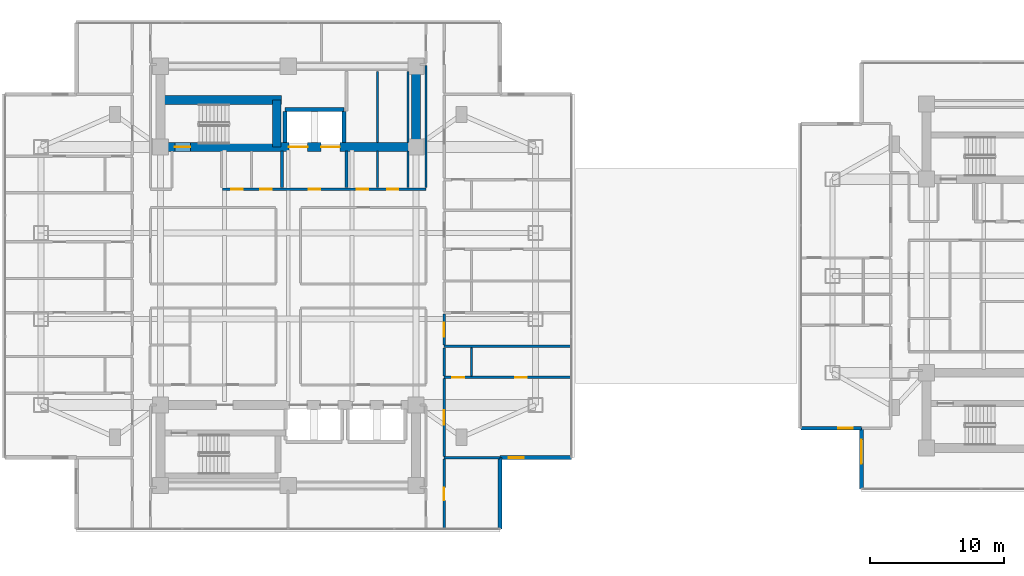
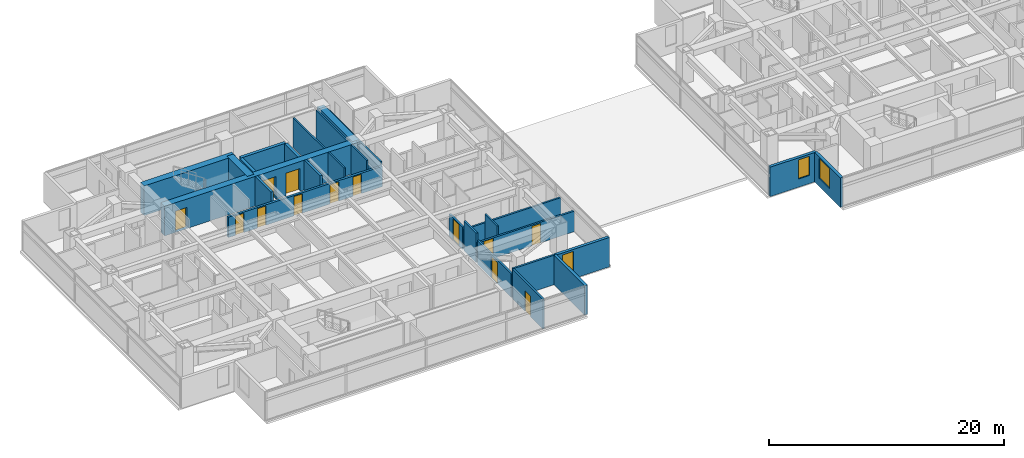
# One storey, part 15 of 26: 27 walls, 13 doors, 3 windows, 16 openings.
"""IFC4 building model written with IfcOpenShell, lengths in metres."""

from ifc_helpers import new_model, si_unit, direction, frame, frame_2d, origin, place, context, subcontext, project, spatial, rectangle, extrude, material, layer, layer_set, type_object, element, fill, save


model = new_model("IFC4")

# Units and contexts
model_context = context("Model", 3, precision=1e-05, world=origin(), true_north=direction((0.0, 1.0)))
body_context = subcontext(model_context, "Body", "Model", "MODEL_VIEW")
ifc_project = project(units=[si_unit("LENGTHUNIT", "METRE"), si_unit("AREAUNIT", "SQUARE_METRE"), si_unit("VOLUMEUNIT", "CUBIC_METRE"), si_unit("PLANEANGLEUNIT", "RADIAN"), si_unit("MASSUNIT", "GRAM", prefix="KILO")], contexts=[model_context])

# Site, building, storey
site_placement = place(None, origin())
site = spatial("IfcSite", under=ifc_project, at=site_placement, CompositionType="ELEMENT")
building_placement = place(site_placement, origin())
building = spatial("IfcBuilding", under=site, at=building_placement, Name="Mirazonda Arch Towers", CompositionType="ELEMENT")
storey_placement = place(building_placement, frame((0.0, 0.0, 98.300048828125)))
storey = spatial("IfcBuildingStorey", under=building, at=storey_placement, Name="L27", CompositionType="ELEMENT", Elevation=98.300048828125)

# Wall
ifc_material_1 = material(Name="Concrete C60/75", Category="concrete")
ifc_layer_1 = layer(ifc_material_1, 0.64990234375, Name="WALL-CORE-650")
ifc_layer_set_1 = layer_set([ifc_layer_1], Name="Concrete C60/75")
wall_type_1 = type_object("IfcWallType", Name="WALL-CORE-650", PredefinedType="SHEAR", material=ifc_layer_set_1)
wall_1_placement = place(storey_placement, frame((30.0, 37.60009765625, 0.0), z_axis=(0.0, 0.0, 1.0), x_axis=(0.0, 1.0, 0.0)))
element("IfcWall", 1, at=wall_1_placement, inside=storey, type_object=wall_type_1, Name="L27 T1N-E Core Shear Wall", PredefinedType="SHEAR", context=body_context, shape_type="SweptSolid", body=[
    extrude(rectangle(XDim=6.0, YDim=0.64990234375, at=frame_2d((3.0, 0.0))), origin(), (0.0, 0.0, 1.0), 3.079833984375),
])

# Wall, openings, doors
wall_2_placement = place(storey_placement, frame((11.0, 37.60009765625, 0.0), z_axis=(0.0, 0.0, 1.0), x_axis=(1.0, 0.0, 0.0)))
wall_2 = element("IfcWall", 2, at=wall_2_placement, inside=storey, type_object=wall_type_1, Name="L27 T1N-S Core Shear Wall", PredefinedType="SHEAR", context=body_context, shape_type="SweptSolid", body=[
    extrude(rectangle(XDim=19.0, YDim=0.64990234375, at=frame_2d((9.5, 0.0))), origin(), (0.0, 0.0, 1.0), 3.079833984375),
])
opening_1_placement = place(wall_2_placement, frame((1.06005859375, 0.0, 0.0)))
opening_1 = element("IfcOpeningElement", 3, at=opening_1_placement, cuts=wall_2, Name="Opening DR-135", PredefinedType="OPENING", context=body_context, shape_type="SweptSolid", body=[
    extrude(rectangle(XDim=1.14990234375, YDim=2.199951171875, at=frame_2d((0.574951171875, 1.10009765625))), frame((0.0, 0.3349609375, 0.0), z_axis=(0.0, -1.0, 0.0), x_axis=(1.0, 0.0, 0.0)), (0.0, 0.0, 1.0), 0.669921875),
])
opening_2_placement = place(wall_2_placement, frame((9.550048828125, 0.0, 0.0)))
opening_2 = element("IfcOpeningElement", 4, at=opening_2_placement, cuts=wall_2, Name="Opening LD-112", PredefinedType="OPENING", context=body_context, shape_type="SweptSolid", body=[
    extrude(rectangle(XDim=1.39990234375, YDim=2.35009765625, at=frame_2d((0.699951171875, 1.175048828125))), frame((0.0, 0.3349609375, 0.0), z_axis=(0.0, -1.0, 0.0), x_axis=(1.0, 0.0, 0.0)), (0.0, 0.0, 1.0), 0.669921875),
])
opening_3_placement = place(wall_2_placement, frame((11.949951171875, 0.0, 0.0)))
opening_3 = element("IfcOpeningElement", 5, at=opening_3_placement, cuts=wall_2, Name="Opening LD-112", PredefinedType="OPENING", context=body_context, shape_type="SweptSolid", body=[
    extrude(rectangle(XDim=1.39990234375, YDim=2.35009765625, at=frame_2d((0.699951171875, 1.175048828125))), frame((0.0, 0.3349609375, 0.0), z_axis=(0.0, -1.0, 0.0), x_axis=(1.0, 0.0, 0.0)), (0.0, 0.0, 1.0), 0.669921875),
])
ifc_material_2 = material(Name="Architectural Brushed Steel S355", Category="steel")
door_type_1 = type_object("IfcDoorType", Name="DOOR-LIFT-FFL-1400", OperationType="NOTDEFINED", PredefinedType="DOOR", material=ifc_material_2)
door_1_placement = place(opening_2_placement, origin())
door_1 = element("IfcDoor", 6, at=door_1_placement, inside=storey, type_object=door_type_1, Name="L27 Lift Landing Sliding Door FFL-T1", OperationType="DOUBLE_DOOR_SLIDING", OverallHeight=2.35009765625, OverallWidth=1.39990234375, PredefinedType="DOOR", context=body_context, shape_type="SweptSolid", body=[
    extrude(rectangle(XDim=1.39990234375, YDim=2.35009765625, at=frame_2d((0.699951171875, 1.175048828125))), frame((0.0, 0.02490234375, 0.0), z_axis=(0.0, -1.0, 0.0), x_axis=(1.0, 0.0, 0.0)), (0.0, 0.0, 1.0), 0.050048828125),
])
fill(opening_2, door_1)
door_2_placement = place(opening_3_placement, origin())
door_2 = element("IfcDoor", 7, at=door_2_placement, inside=storey, type_object=door_type_1, Name="L27 Lift Landing Sliding Door SVL-T1", OperationType="DOUBLE_DOOR_SLIDING", OverallHeight=2.35009765625, OverallWidth=1.39990234375, PredefinedType="DOOR", context=body_context, shape_type="SweptSolid", body=[
    extrude(rectangle(XDim=1.39990234375, YDim=2.35009765625, at=frame_2d((0.699951171875, 1.175048828125))), frame((0.0, 0.02490234375, 0.0), z_axis=(0.0, -1.0, 0.0), x_axis=(1.0, 0.0, 0.0)), (0.0, 0.0, 1.0), 0.050048828125),
])
fill(opening_3, door_2)
door_type_2 = type_object("IfcDoorType", Name="DOOR-STAIR-FD90-1150", OperationType="NOTDEFINED", PredefinedType="DOOR", material=ifc_material_2)
door_3_placement = place(opening_1_placement, origin())
door_3 = element("IfcDoor", 8, at=door_3_placement, inside=storey, type_object=door_type_2, Name="L27 Protected Exit Stair North Door", OperationType="SINGLE_SWING_LEFT", OverallHeight=2.199951171875, OverallWidth=1.14990234375, PredefinedType="DOOR", context=body_context, shape_type="SweptSolid", body=[
    extrude(rectangle(XDim=1.14990234375, YDim=2.199951171875, at=frame_2d((0.574951171875, 1.10009765625))), frame((0.0, 0.02490234375, 0.0), z_axis=(0.0, -1.0, 0.0), x_axis=(1.0, 0.0, 0.0)), (0.0, 0.0, 1.0), 0.050048828125),
])
fill(opening_1, door_3)

# Walls
wall_3_placement = place(storey_placement, frame((11.0, 41.093017578125, 0.0), z_axis=(0.0, 0.0, 1.0), x_axis=(1.0, 0.0, 0.0)))
element("IfcWall", 9, at=wall_3_placement, inside=storey, type_object=wall_type_1, Name="L27 T1N-STN Core Shear Wall", PredefinedType="SHEAR", context=body_context, shape_type="SweptSolid", body=[
    extrude(rectangle(XDim=9.0, YDim=0.64990234375, at=frame_2d((4.5, 0.0))), origin(), (0.0, 0.0, 1.0), 3.079833984375),
])
wall_4_placement = place(storey_placement, frame((19.64990234375, 37.60009765625, 0.0), z_axis=(0.0, 0.0, 1.0), x_axis=(0.0, 1.0, 0.0)))
element("IfcWall", 10, at=wall_4_placement, inside=storey, type_object=wall_type_1, Name="L27 T1N-STE Core Shear Wall", PredefinedType="SHEAR", context=body_context, shape_type="SweptSolid", body=[
    extrude(rectangle(XDim=3.492919921875, YDim=0.64990234375, at=frame_2d((1.74658203125, 0.0))), origin(), (0.0, 0.0, 1.0), 3.079833984375),
])

# Wall, opening, window
ifc_material_3 = material(Name="Precast Concrete C40/50", Category="concrete")
ifc_layer_2 = layer(ifc_material_3, 0.280029296875, Name="WALL-EXT-WALL-280")
ifc_layer_set_2 = layer_set([ifc_layer_2], Name="Precast Concrete C40/50")
wall_type_2 = type_object("IfcWallType", Name="WALL-EXT-WALL-280", PredefinedType="SOLIDWALL", material=ifc_layer_set_2)
wall_5_placement = place(storey_placement, frame((36.264892578125, 14.48095703125, 0.0), z_axis=(0.0, 0.0, 1.0), x_axis=(1.0, 0.0, 0.0)))
wall_5 = element("IfcWall", 11, at=wall_5_placement, inside=storey, type_object=wall_type_2, Name="L27 T1 Corner Notch Return Wall WL-L27-T1-CSE1", PredefinedType="SOLIDWALL", context=body_context, shape_type="SweptSolid", body=[
    extrude(rectangle(XDim=5.30517578125, YDim=0.280029296875, at=frame_2d((2.652587890625, 0.0))), origin(), (0.0, 0.0, 1.0), 3.06005859375),
])
opening_4_placement = place(wall_5_placement, frame((0.64990234375, 0.0, 0.85009765625)))
opening_4 = element("IfcOpeningElement", 12, at=opening_4_placement, cuts=wall_5, Name="Opening WN-108", PredefinedType="OPENING", context=body_context, shape_type="SweptSolid", body=[
    extrude(rectangle(XDim=1.10009765625, YDim=2.0, at=frame_2d((0.550048828125, 1.0))), frame((0.0, 0.14990234375, 0.0), z_axis=(0.0, -1.0, 0.0), x_axis=(1.0, 0.0, 0.0)), (0.0, 0.0, 1.0), 0.300048828125),
])
ifc_material_4 = material(Name="Insulated Low-E Solar Glass", Category="glass")
window_type_1 = type_object("IfcWindowType", Name="WIN-NOTCH-1100x2000", PartitioningType="SINGLE_PANEL", PredefinedType="WINDOW", material=ifc_material_4)
window_1_placement = place(opening_4_placement, origin())
window_1 = element("IfcWindow", 13, at=window_1_placement, inside=storey, type_object=window_type_1, Name="L27 Punched Facade Window WN-L27-T1-CSE1", OverallHeight=2.0, OverallWidth=1.10009765625, PartitioningType="SINGLE_PANEL", PredefinedType="WINDOW", context=body_context, shape_type="SweptSolid", body=[
    extrude(rectangle(XDim=1.10009765625, YDim=2.0, at=frame_2d((0.550048828125, 1.0))), frame((0.0, 0.030029296875, 0.0), z_axis=(0.0, -1.0, 0.0), x_axis=(1.0, 0.0, 0.0)), (0.0, 0.0, 1.0), 0.06005859375),
])
fill(opening_4, window_1)

# Wall
wall_6_placement = place(storey_placement, frame((36.264892578125, 9.176025390625, 0.0), z_axis=(0.0, 0.0, 1.0), x_axis=(0.0, 1.0, 0.0)))
element("IfcWall", 14, at=wall_6_placement, inside=storey, type_object=wall_type_2, Name="L27 T1 Corner Notch Return Wall WL-L27-T1-CSE2", PredefinedType="SOLIDWALL", context=body_context, shape_type="SweptSolid", body=[
    extrude(rectangle(XDim=5.304931640625, YDim=0.280029296875, at=frame_2d((2.65234375, 0.0))), origin(), (0.0, 0.0, 1.0), 3.06005859375),
])

# Wall, opening, window
wall_7_placement = place(storey_placement, frame((63.159912109375, 16.6689453125, 0.0), z_axis=(0.0, 0.0, 1.0), x_axis=(0.0, -1.0, 0.0)))
wall_7 = element("IfcWall", 15, at=wall_7_placement, inside=storey, type_object=wall_type_2, Name="L27 T2 Notched SW Corner Wall WL-L27-T2-CSW", PredefinedType="SOLIDWALL", context=body_context, shape_type="SweptSolid", body=[
    extrude(rectangle(XDim=4.516357421875, YDim=0.280029296875, at=frame_2d((2.25830078125, 0.0))), origin(), (0.0, 0.0, 1.0), 3.06005859375),
])
opening_5_placement = place(wall_7_placement, frame((0.85009765625, 0.0, 0.81005859375)))
opening_5 = element("IfcOpeningElement", 16, at=opening_5_placement, cuts=wall_7, Name="Opening WN-116", PredefinedType="OPENING", context=body_context, shape_type="SweptSolid", body=[
    extrude(rectangle(XDim=1.800048828125, YDim=2.10009765625, at=frame_2d((0.89990234375, 1.050048828125))), frame((0.0, 0.14990234375, 0.0), z_axis=(0.0, -1.0, 0.0), x_axis=(1.0, 0.0, 0.0)), (0.0, 0.0, 1.0), 0.300048828125),
])
window_type_2 = type_object("IfcWindowType", Name="WIN-HTL-1800x2100", PartitioningType="SINGLE_PANEL", PredefinedType="WINDOW", material=ifc_material_4)
window_2_placement = place(opening_5_placement, origin())
window_2 = element("IfcWindow", 17, at=window_2_placement, inside=storey, type_object=window_type_2, Name="L27 Punched Facade Window WN-L27-T2-CSW", OverallHeight=2.10009765625, OverallWidth=1.800048828125, PartitioningType="SINGLE_PANEL", PredefinedType="WINDOW", context=body_context, shape_type="SweptSolid", body=[
    extrude(rectangle(XDim=1.800048828125, YDim=2.10009765625, at=frame_2d((0.89990234375, 1.050048828125))), frame((0.0, 0.030029296875, 0.0), z_axis=(0.0, -1.0, 0.0), x_axis=(1.0, 0.0, 0.0)), (0.0, 0.0, 1.0), 0.06005859375),
])
fill(opening_5, window_2)

wall_8_placement = place(storey_placement, frame((58.6435546875, 16.6689453125, 0.0), z_axis=(0.0, 0.0, 1.0), x_axis=(1.0, 0.0, 0.0)))
wall_8 = element("IfcWall", 18, at=wall_8_placement, inside=storey, type_object=wall_type_2, Name="L27 T2 Corner Notch Return Wall WL-L27-T2-CSW2", PredefinedType="SOLIDWALL", context=body_context, shape_type="SweptSolid", body=[
    extrude(rectangle(XDim=4.516357421875, YDim=0.280029296875, at=frame_2d((2.25830078125, 0.0))), origin(), (0.0, 0.0, 1.0), 3.06005859375),
])
opening_6_placement = place(wall_8_placement, frame((2.76611328125, 0.0, 0.85009765625)))
opening_6 = element("IfcOpeningElement", 19, at=opening_6_placement, cuts=wall_8, Name="Opening WN-108", PredefinedType="OPENING", context=body_context, shape_type="SweptSolid", body=[
    extrude(rectangle(XDim=1.10009765625, YDim=2.0, at=frame_2d((0.550048828125, 1.0))), frame((0.0, 0.14990234375, 0.0), z_axis=(0.0, -1.0, 0.0), x_axis=(1.0, 0.0, 0.0)), (0.0, 0.0, 1.0), 0.300048828125),
])
window_3_placement = place(opening_6_placement, origin())
window_3 = element("IfcWindow", 20, at=window_3_placement, inside=storey, type_object=window_type_1, Name="L27 Punched Facade Window WN-L27-T2-CSW2", OverallHeight=2.0, OverallWidth=1.10009765625, PartitioningType="SINGLE_PANEL", PredefinedType="WINDOW", context=body_context, shape_type="SweptSolid", body=[
    extrude(rectangle(XDim=1.10009765625, YDim=2.0, at=frame_2d((0.550048828125, 1.0))), frame((0.0, 0.030029296875, 0.0), z_axis=(0.0, -1.0, 0.0), x_axis=(1.0, 0.0, 0.0)), (0.0, 0.0, 1.0), 0.06005859375),
])
fill(opening_6, window_3)

# Wall, openings, doors
ifc_material_5 = material(Name="Concrete C40/50", Category="concrete")
ifc_layer_3 = layer(ifc_material_5, 0.219970703125, Name="WALL-FFL-220")
ifc_layer_set_3 = layer_set([ifc_layer_3], Name="Concrete C40/50")
wall_type_3 = type_object("IfcWallType", Name="WALL-FFL-220", PredefinedType="SOLIDWALL", material=ifc_layer_set_3)
wall_9_placement = place(storey_placement, frame((15.590087890625, 34.449951171875, 0.0), z_axis=(0.0, 0.0, 1.0), x_axis=(1.0, 0.0, 0.0)))
wall_9 = element("IfcWall", 21, at=wall_9_placement, inside=storey, type_object=wall_type_3, Name="L27 Interior Partition 053", PredefinedType="SOLIDWALL", context=body_context, shape_type="SweptSolid", body=[
    extrude(rectangle(XDim=15.169921875, YDim=0.219970703125, at=frame_2d((7.5849609375, 0.0))), origin(), (0.0, 0.0, 1.0), 2.1240234375),
])
opening_7_placement = place(wall_9_placement, frame((6.43505859375, 0.0, 0.0)))
opening_7 = element("IfcOpeningElement", 22, at=opening_7_placement, cuts=wall_9, Name="Opening DR-128", PredefinedType="OPENING", context=body_context, shape_type="SweptSolid", body=[
    extrude(rectangle(XDim=0.85009765625, YDim=2.010009765625, at=frame_2d((0.425048828125, 1.0048828125))), frame((0.0, 0.119873046875, 0.0), z_axis=(0.0, -1.0, 0.0), x_axis=(1.0, 0.0, 0.0)), (0.0, 0.0, 1.0), 0.239990234375),
])
opening_8_placement = place(wall_9_placement, frame((10.010009765625, 0.0, 0.0)))
opening_8 = element("IfcOpeningElement", 23, at=opening_8_placement, cuts=wall_9, Name="Opening DR-128", PredefinedType="OPENING", context=body_context, shape_type="SweptSolid", body=[
    extrude(rectangle(XDim=0.85009765625, YDim=2.010009765625, at=frame_2d((0.425048828125, 1.0048828125))), frame((0.0, 0.119873046875, 0.0), z_axis=(0.0, -1.0, 0.0), x_axis=(1.0, 0.0, 0.0)), (0.0, 0.0, 1.0), 0.239990234375),
])
opening_9_placement = place(wall_9_placement, frame((12.260009765625, 0.0, 0.0)))
opening_9 = element("IfcOpeningElement", 24, at=opening_9_placement, cuts=wall_9, Name="Opening DR-128", PredefinedType="OPENING", context=body_context, shape_type="SweptSolid", body=[
    extrude(rectangle(XDim=0.85009765625, YDim=2.010009765625, at=frame_2d((0.425048828125, 1.0048828125))), frame((0.0, 0.119873046875, 0.0), z_axis=(0.0, -1.0, 0.0), x_axis=(1.0, 0.0, 0.0)), (0.0, 0.0, 1.0), 0.239990234375),
])
opening_10_placement = place(wall_9_placement, frame((0.675048828125, 0.0, 0.0)))
opening_10 = element("IfcOpeningElement", 25, at=opening_10_placement, cuts=wall_9, Name="Opening DR-128", PredefinedType="OPENING", context=body_context, shape_type="SweptSolid", body=[
    extrude(rectangle(XDim=0.85009765625, YDim=2.010009765625, at=frame_2d((0.425048828125, 1.0048828125))), frame((0.0, 0.119873046875, 0.0), z_axis=(0.0, -1.0, 0.0), x_axis=(1.0, 0.0, 0.0)), (0.0, 0.0, 1.0), 0.239990234375),
])
opening_11_placement = place(wall_9_placement, frame((2.8349609375, 0.0, 0.0)))
opening_11 = element("IfcOpeningElement", 26, at=opening_11_placement, cuts=wall_9, Name="Opening DR-128", PredefinedType="OPENING", context=body_context, shape_type="SweptSolid", body=[
    extrude(rectangle(XDim=0.85009765625, YDim=2.010009765625, at=frame_2d((0.425048828125, 1.0048828125))), frame((0.0, 0.119873046875, 0.0), z_axis=(0.0, -1.0, 0.0), x_axis=(1.0, 0.0, 0.0)), (0.0, 0.0, 1.0), 0.239990234375),
])
door_type_3 = type_object("IfcDoorType", Name="DOOR-RISER-FD60-850", OperationType="NOTDEFINED", PredefinedType="DOOR", material=ifc_material_2)
door_4_placement = place(opening_7_placement, origin())
door_4 = element("IfcDoor", 27, at=door_4_placement, inside=storey, type_object=door_type_3, Name="L27 Firefighting Lift Lobby Door", OperationType="SINGLE_SWING_RIGHT", OverallHeight=2.010009765625, OverallWidth=0.85009765625, PredefinedType="DOOR", context=body_context, shape_type="SweptSolid", body=[
    extrude(rectangle(XDim=0.85009765625, YDim=2.010009765625, at=frame_2d((0.425048828125, 1.0048828125))), frame((0.0, 0.02490234375, 0.0), z_axis=(0.0, -1.0, 0.0), x_axis=(1.0, 0.0, 0.0)), (0.0, 0.0, 1.0), 0.050048828125),
])
fill(opening_7, door_4)
door_5_placement = place(opening_8_placement, origin())
door_5 = element("IfcDoor", 28, at=door_5_placement, inside=storey, type_object=door_type_3, Name="L27 Executive Reading Library Door", OperationType="SINGLE_SWING_LEFT", OverallHeight=2.010009765625, OverallWidth=0.85009765625, PredefinedType="DOOR", context=body_context, shape_type="SweptSolid", body=[
    extrude(rectangle(XDim=0.85009765625, YDim=2.010009765625, at=frame_2d((0.425048828125, 1.0048828125))), frame((0.0, 0.02490234375, 0.0), z_axis=(0.0, -1.0, 0.0), x_axis=(1.0, 0.0, 0.0)), (0.0, 0.0, 1.0), 0.050048828125),
])
fill(opening_8, door_5)
door_6_placement = place(opening_9_placement, origin())
door_6 = element("IfcDoor", 29, at=door_6_placement, inside=storey, type_object=door_type_3, Name="L27 Private Quiet Study Door", OperationType="SINGLE_SWING_RIGHT", OverallHeight=2.010009765625, OverallWidth=0.85009765625, PredefinedType="DOOR", context=body_context, shape_type="SweptSolid", body=[
    extrude(rectangle(XDim=0.85009765625, YDim=2.010009765625, at=frame_2d((0.425048828125, 1.0048828125))), frame((0.0, 0.02490234375, 0.0), z_axis=(0.0, -1.0, 0.0), x_axis=(1.0, 0.0, 0.0)), (0.0, 0.0, 1.0), 0.050048828125),
])
fill(opening_9, door_6)
door_7_placement = place(opening_10_placement, origin())
door_7 = element("IfcDoor", 30, at=door_7_placement, inside=storey, type_object=door_type_3, Name="L27 Electrical Room Door", OperationType="SINGLE_SWING_LEFT", OverallHeight=2.010009765625, OverallWidth=0.85009765625, PredefinedType="DOOR", context=body_context, shape_type="SweptSolid", body=[
    extrude(rectangle(XDim=0.85009765625, YDim=2.010009765625, at=frame_2d((0.425048828125, 1.0048828125))), frame((0.0, 0.02490234375, 0.0), z_axis=(0.0, -1.0, 0.0), x_axis=(1.0, 0.0, 0.0)), (0.0, 0.0, 1.0), 0.050048828125),
])
fill(opening_10, door_7)
door_8_placement = place(opening_11_placement, origin())
door_8 = element("IfcDoor", 31, at=door_8_placement, inside=storey, type_object=door_type_3, Name="L27 Cleaners & Housekeeping Store Door", OperationType="SINGLE_SWING_RIGHT", OverallHeight=2.010009765625, OverallWidth=0.85009765625, PredefinedType="DOOR", context=body_context, shape_type="SweptSolid", body=[
    extrude(rectangle(XDim=0.85009765625, YDim=2.010009765625, at=frame_2d((0.425048828125, 1.0048828125))), frame((0.0, 0.02490234375, 0.0), z_axis=(0.0, -1.0, 0.0), x_axis=(1.0, 0.0, 0.0)), (0.0, 0.0, 1.0), 0.050048828125),
])
fill(opening_11, door_8)

# Walls
for number, where, z_axis, x_axis, name in (
    (32, (20.02490234375, 34.570068359375, 0.0), (0.0, 0.0, 1.0), (0.0, 1.0, 0.0), "L27 Interior Partition 096"),
    (33, (24.85009765625, 34.570068359375, 0.0), (0.0, 0.0, 1.0), (0.0, 1.0, 0.0), "L27 Interior Partition 107"),
):
    element("IfcWall", number, at=place(storey_placement, frame(where, z_axis=z_axis, x_axis=x_axis)), inside=storey, type_object=wall_type_3, Name=name, PredefinedType="SOLIDWALL", context=body_context, shape_type="SweptSolid", body=[
        extrude(rectangle(XDim=2.7099609375, YDim=0.219970703125, at=frame_2d((1.35498046875, 0.0))), origin(), (0.0, 0.0, 1.0), 3.079833984375),
    ])
ifc_material_6 = material(Name="Fire-Rated Gypsum Stud Partition")
ifc_layer_4 = layer(ifc_material_6, 0.14990234375, Name="WALL-PART-CORR-150")
ifc_layer_set_4 = layer_set([ifc_layer_4], Name="Fire-Rated Gypsum Stud Partition")
wall_type_4 = type_object("IfcWallType", Name="WALL-PART-CORR-150", PredefinedType="PARTITIONING", material=ifc_layer_set_4)
wall_10_placement = place(storey_placement, frame((27.14990234375, 34.570068359375, 0.0), z_axis=(0.0, 0.0, 1.0), x_axis=(0.0, 1.0, 0.0)))
element("IfcWall", 34, at=wall_10_placement, inside=storey, type_object=wall_type_4, Name="L27 Interior Partition 109", PredefinedType="PARTITIONING", context=body_context, shape_type="SweptSolid", body=[
    extrude(rectangle(XDim=2.7099609375, YDim=0.14990234375, at=frame_2d((1.35498046875, 0.0))), origin(), (0.0, 0.0, 1.0), 3.079833984375),
])
wall_11_placement = place(storey_placement, frame((27.14990234375, 37.919921875, 0.0), z_axis=(0.0, 0.0, 1.0), x_axis=(0.0, 1.0, 0.0)))
element("IfcWall", 35, at=wall_11_placement, inside=storey, type_object=wall_type_4, Name="L27 Interior Partition 110", PredefinedType="PARTITIONING", context=body_context, shape_type="SweptSolid", body=[
    extrude(rectangle(XDim=5.280029296875, YDim=0.14990234375, at=frame_2d((2.64013671875, 0.0))), origin(), (0.0, 0.0, 1.0), 3.079833984375),
])
wall_12_placement = place(storey_placement, frame((29.39990234375, 34.570068359375, 0.0), z_axis=(0.0, 0.0, 1.0), x_axis=(0.0, 1.0, 0.0)))
element("IfcWall", 36, at=wall_12_placement, inside=storey, type_object=wall_type_4, Name="L27 Interior Partition 112", PredefinedType="PARTITIONING", context=body_context, shape_type="SweptSolid", body=[
    extrude(rectangle(XDim=2.7099609375, YDim=0.14990234375, at=frame_2d((1.35498046875, 0.0))), origin(), (0.0, 0.0, 1.0), 3.079833984375),
])
wall_13_placement = place(storey_placement, frame((29.39990234375, 37.919921875, 0.0), z_axis=(0.0, 0.0, 1.0), x_axis=(0.0, 1.0, 0.0)))
element("IfcWall", 37, at=wall_13_placement, inside=storey, type_object=wall_type_4, Name="L27 Interior Partition 113", PredefinedType="PARTITIONING", context=body_context, shape_type="SweptSolid", body=[
    extrude(rectangle(XDim=5.280029296875, YDim=0.14990234375, at=frame_2d((2.64013671875, 0.0))), origin(), (0.0, 0.0, 1.0), 3.079833984375),
])
wall_14_placement = place(storey_placement, frame((30.760009765625, 34.570068359375, 0.0), z_axis=(0.0, 0.0, 1.0), x_axis=(0.0, 1.0, 0.0)))
element("IfcWall", 38, at=wall_14_placement, inside=storey, type_object=wall_type_4, Name="L27 Interior Partition 118", PredefinedType="PARTITIONING", context=body_context, shape_type="SweptSolid", body=[
    extrude(rectangle(XDim=9.094970703125, YDim=0.14990234375, at=frame_2d((4.54736328125, 0.0))), origin(), (0.0, 0.0, 1.0), 2.4560546875),
])
ifc_material_7 = material(Name="Fire-Rated Gypsum Twin-Stud Assembly")
ifc_layer_5 = layer(ifc_material_7, 0.179931640625, Name="WALL-PART-DEMISE-180")
ifc_layer_set_5 = layer_set([ifc_layer_5], Name="Fire-Rated Gypsum Twin-Stud Assembly")
wall_type_5 = type_object("IfcWallType", Name="WALL-PART-DEMISE-180", PredefinedType="PARTITIONING", material=ifc_layer_set_5)
wall_15_placement = place(storey_placement, frame((32.10009765625, 14.48095703125, 0.0), z_axis=(0.0, 0.0, 1.0), x_axis=(1.0, 0.0, 0.0)))
element("IfcWall", 39, at=wall_15_placement, inside=storey, type_object=wall_type_5, Name="L27 Interior Partition 005", PredefinedType="PARTITIONING", context=body_context, shape_type="SweptSolid", body=[
    extrude(rectangle(XDim=4.14501953125, YDim=0.179931640625, at=frame_2d((2.072509765625, 0.0))), origin(), (0.0, 0.0, 1.0), 3.079833984375),
])

# Wall, openings, doors
wall_16_placement = place(storey_placement, frame((32.10009765625, 20.452880859375, 0.0), z_axis=(0.0, 0.0, 1.0), x_axis=(1.0, 0.0, 0.0)))
wall_16 = element("IfcWall", 40, at=wall_16_placement, inside=storey, type_object=wall_type_5, Name="L27 Interior Partition 020", PredefinedType="PARTITIONING", context=body_context, shape_type="SweptSolid", body=[
    extrude(rectangle(XDim=9.469970703125, YDim=0.179931640625, at=frame_2d((4.73486328125, 0.0))), origin(), (0.0, 0.0, 1.0), 2.14501953125),
])
opening_12_placement = place(wall_16_placement, frame((5.31005859375, 0.0, 0.0)))
opening_12 = element("IfcOpeningElement", 41, at=opening_12_placement, cuts=wall_16, Name="Opening DR-128", PredefinedType="OPENING", context=body_context, shape_type="SweptSolid", body=[
    extrude(rectangle(XDim=0.85009765625, YDim=2.010009765625, at=frame_2d((0.425048828125, 1.0048828125))), frame((0.0, 0.099853515625, 0.0), z_axis=(0.0, -1.0, 0.0), x_axis=(1.0, 0.0, 0.0)), (0.0, 0.0, 1.0), 0.199951171875),
])
opening_13_placement = place(wall_16_placement, frame((0.590087890625, 0.0, 0.0)))
opening_13 = element("IfcOpeningElement", 42, at=opening_13_placement, cuts=wall_16, Name="Opening DR-120", PredefinedType="OPENING", context=body_context, shape_type="SweptSolid", body=[
    extrude(rectangle(XDim=0.89990234375, YDim=2.10009765625, at=frame_2d((0.449951171875, 1.050048828125))), frame((0.0, 0.099853515625, 0.0), z_axis=(0.0, -1.0, 0.0), x_axis=(1.0, 0.0, 0.0)), (0.0, 0.0, 1.0), 0.199951171875),
])
door_9_placement = place(opening_12_placement, origin())
door_9 = element("IfcDoor", 43, at=door_9_placement, inside=storey, type_object=door_type_3, Name="L27 Guestroom Study 1 Door", OperationType="SINGLE_SWING_LEFT", OverallHeight=2.010009765625, OverallWidth=0.85009765625, PredefinedType="DOOR", context=body_context, shape_type="SweptSolid", body=[
    extrude(rectangle(XDim=0.85009765625, YDim=2.010009765625, at=frame_2d((0.425048828125, 1.0048828125))), frame((0.0, 0.02490234375, 0.0), z_axis=(0.0, -1.0, 0.0), x_axis=(1.0, 0.0, 0.0)), (0.0, 0.0, 1.0), 0.050048828125),
])
fill(opening_12, door_9)
door_type_4 = type_object("IfcDoorType", Name="DOOR-WC-900", OperationType="NOTDEFINED", PredefinedType="DOOR", material=ifc_material_2)
door_10_placement = place(opening_13_placement, origin())
door_10 = element("IfcDoor", 44, at=door_10_placement, inside=storey, type_object=door_type_4, Name="L27 En-Suite Bathroom 1 Door", OperationType="SINGLE_SWING_RIGHT", OverallHeight=2.10009765625, OverallWidth=0.89990234375, PredefinedType="DOOR", context=body_context, shape_type="SweptSolid", body=[
    extrude(rectangle(XDim=0.89990234375, YDim=2.10009765625, at=frame_2d((0.449951171875, 1.050048828125))), frame((0.0, 0.02490234375, 0.0), z_axis=(0.0, -1.0, 0.0), x_axis=(1.0, 0.0, 0.0)), (0.0, 0.0, 1.0), 0.050048828125),
])
fill(opening_13, door_10)

# Wall
wall_17_placement = place(storey_placement, frame((32.10009765625, 22.7529296875, 0.0), z_axis=(0.0, 0.0, 1.0), x_axis=(1.0, 0.0, 0.0)))
element("IfcWall", 45, at=wall_17_placement, inside=storey, type_object=wall_type_5, Name="L27 Interior Partition 025", PredefinedType="PARTITIONING", context=body_context, shape_type="SweptSolid", body=[
    extrude(rectangle(XDim=9.469970703125, YDim=0.179931640625, at=frame_2d((4.73486328125, 0.0))), origin(), (0.0, 0.0, 1.0), 2.14501953125),
])

# Wall, opening, door
wall_18_placement = place(storey_placement, frame((32.10009765625, 9.176025390625, 0.0), z_axis=(0.0, 0.0, 1.0), x_axis=(0.0, 1.0, 0.0)))
wall_18 = element("IfcWall", 46, at=wall_18_placement, inside=storey, type_object=wall_type_5, Name="L27 Interior Partition 120", PredefinedType="PARTITIONING", context=body_context, shape_type="SweptSolid", body=[
    extrude(rectangle(XDim=5.205078125, YDim=0.179931640625, at=frame_2d((2.6025390625, 0.0))), origin(), (0.0, 0.0, 1.0), 3.079833984375),
])
opening_14_placement = place(wall_18_placement, frame((2.12744140625, 0.0, 0.0)))
opening_14 = element("IfcOpeningElement", 47, at=opening_14_placement, cuts=wall_18, Name="Opening DR-104", PredefinedType="OPENING", context=body_context, shape_type="SweptSolid", body=[
    extrude(rectangle(XDim=0.949951171875, YDim=2.14990234375, at=frame_2d((0.47509765625, 1.074951171875))), frame((0.0, 0.099853515625, 0.0), z_axis=(0.0, -1.0, 0.0), x_axis=(1.0, 0.0, 0.0)), (0.0, 0.0, 1.0), 0.199951171875),
])
door_type_5 = type_object("IfcDoorType", Name="DOOR-ROOM-950", OperationType="NOTDEFINED", PredefinedType="DOOR", material=ifc_material_2)
door_11_placement = place(opening_14_placement, origin())
door_11 = element("IfcDoor", 48, at=door_11_placement, inside=storey, type_object=door_type_5, Name="L27 South Horizon Lounge Alcove East Door", OperationType="SINGLE_SWING_LEFT", OverallHeight=2.14990234375, OverallWidth=0.949951171875, PredefinedType="DOOR", context=body_context, shape_type="SweptSolid", body=[
    extrude(rectangle(XDim=0.949951171875, YDim=2.14990234375, at=frame_2d((0.47509765625, 1.074951171875))), frame((0.0, 0.02490234375, 0.0), z_axis=(0.0, -1.0, 0.0), x_axis=(1.0, 0.0, 0.0)), (0.0, 0.0, 1.0), 0.050048828125),
])
fill(opening_14, door_11)

wall_19_placement = place(storey_placement, frame((32.10009765625, 14.5810546875, 0.0), z_axis=(0.0, 0.0, 1.0), x_axis=(0.0, 1.0, 0.0)))
wall_19 = element("IfcWall", 49, at=wall_19_placement, inside=storey, type_object=wall_type_5, Name="L27 Interior Partition 121", PredefinedType="PARTITIONING", context=body_context, shape_type="SweptSolid", body=[
    extrude(rectangle(XDim=5.77197265625, YDim=0.179931640625, at=frame_2d((2.885986328125, 0.0))), origin(), (0.0, 0.0, 1.0), 2.4560546875),
])
opening_15_placement = place(wall_19_placement, frame((2.361083984375, 0.0, 0.0)))
opening_15 = element("IfcOpeningElement", 50, at=opening_15_placement, cuts=wall_19, Name="Opening DR-121", PredefinedType="OPENING", context=body_context, shape_type="SweptSolid", body=[
    extrude(rectangle(XDim=1.050048828125, YDim=2.199951171875, at=frame_2d((0.52490234375, 1.10009765625))), frame((0.0, 0.099853515625, 0.0), z_axis=(0.0, -1.0, 0.0), x_axis=(1.0, 0.0, 0.0)), (0.0, 0.0, 1.0), 0.199951171875),
])
door_type_6 = type_object("IfcDoorType", Name="DOOR-SUITE-FD60-1050", OperationType="NOTDEFINED", PredefinedType="DOOR", material=ifc_material_2)
door_12_placement = place(opening_15_placement, origin())
door_12 = element("IfcDoor", 51, at=door_12_placement, inside=storey, type_object=door_type_6, Name="L27 King Hotel Guestroom 1 Door", OperationType="SINGLE_SWING_RIGHT", OverallHeight=2.199951171875, OverallWidth=1.050048828125, PredefinedType="DOOR", context=body_context, shape_type="SweptSolid", body=[
    extrude(rectangle(XDim=1.050048828125, YDim=2.199951171875, at=frame_2d((0.52490234375, 1.10009765625))), frame((0.0, 0.02490234375, 0.0), z_axis=(0.0, -1.0, 0.0), x_axis=(1.0, 0.0, 0.0)), (0.0, 0.0, 1.0), 0.050048828125),
])
fill(opening_15, door_12)

# Wall
wall_20_placement = place(storey_placement, frame((32.10009765625, 20.552978515625, 0.0), z_axis=(0.0, 0.0, 1.0), x_axis=(0.0, 1.0, 0.0)))
element("IfcWall", 52, at=wall_20_placement, inside=storey, type_object=wall_type_5, Name="L27 Interior Partition 122", PredefinedType="PARTITIONING", context=body_context, shape_type="SweptSolid", body=[
    extrude(rectangle(XDim=2.10009765625, YDim=0.179931640625, at=frame_2d((1.050048828125, 0.0))), origin(), (0.0, 0.0, 1.0), 3.079833984375),
])

# Wall, opening, door
wall_21_placement = place(storey_placement, frame((32.10009765625, 22.85302734375, 0.0), z_axis=(0.0, 0.0, 1.0), x_axis=(0.0, 1.0, 0.0)))
wall_21 = element("IfcWall", 53, at=wall_21_placement, inside=storey, type_object=wall_type_5, Name="L27 Interior Partition 123", PredefinedType="PARTITIONING", context=body_context, shape_type="SweptSolid", body=[
    extrude(rectangle(XDim=2.302001953125, YDim=0.179931640625, at=frame_2d((1.15087890625, 0.0))), origin(), (0.0, 0.0, 1.0), 2.299072265625),
])
opening_16_placement = place(wall_21_placement, frame((0.6259765625, 0.0, 0.0)))
opening_16 = element("IfcOpeningElement", 54, at=opening_16_placement, cuts=wall_21, Name="Opening DR-121", PredefinedType="OPENING", context=body_context, shape_type="SweptSolid", body=[
    extrude(rectangle(XDim=1.050048828125, YDim=2.199951171875, at=frame_2d((0.52490234375, 1.10009765625))), frame((0.0, 0.099853515625, 0.0), z_axis=(0.0, -1.0, 0.0), x_axis=(1.0, 0.0, 0.0)), (0.0, 0.0, 1.0), 0.199951171875),
])
door_13_placement = place(opening_16_placement, origin())
door_13 = element("IfcDoor", 55, at=door_13_placement, inside=storey, type_object=door_type_6, Name="L27 Twin Hotel Guestroom 2 Door", OperationType="SINGLE_SWING_LEFT", OverallHeight=2.199951171875, OverallWidth=1.050048828125, PredefinedType="DOOR", context=body_context, shape_type="SweptSolid", body=[
    extrude(rectangle(XDim=1.050048828125, YDim=2.199951171875, at=frame_2d((0.52490234375, 1.10009765625))), frame((0.0, 0.02490234375, 0.0), z_axis=(0.0, -1.0, 0.0), x_axis=(1.0, 0.0, 0.0)), (0.0, 0.0, 1.0), 0.050048828125),
])
fill(opening_16, door_13)

# Walls
ifc_material_8 = material(Name="Acoustic Fire-Rated Gypsum Partition")
ifc_layer_6 = layer(ifc_material_8, 0.125, Name="WALL-PART-UNIT-125")
ifc_layer_set_6 = layer_set([ifc_layer_6], Name="Acoustic Fire-Rated Gypsum Partition")
wall_type_6 = type_object("IfcWallType", Name="WALL-PART-UNIT-125", PredefinedType="PARTITIONING", material=ifc_layer_set_6)
wall_22_placement = place(storey_placement, frame((34.139892578125, 20.552978515625, 0.0), z_axis=(0.0, 0.0, 1.0), x_axis=(0.0, 1.0, 0.0)))
element("IfcWall", 56, at=wall_22_placement, inside=storey, type_object=wall_type_6, Name="L27 Interior Partition 130", PredefinedType="PARTITIONING", context=body_context, shape_type="SweptSolid", body=[
    extrude(rectangle(XDim=2.10009765625, YDim=0.125, at=frame_2d((1.050048828125, 0.0))), origin(), (0.0, 0.0, 1.0), 3.079833984375),
])
ifc_material_9 = material(Name="Concrete C50/60", Category="concrete")
ifc_layer_7 = layer(ifc_material_9, 0.300048828125, Name="WALL-SHAFT-300")
ifc_layer_set_7 = layer_set([ifc_layer_7], Name="Concrete C50/60")
wall_type_7 = type_object("IfcWallType", Name="WALL-SHAFT-300", PredefinedType="SOLIDWALL", material=ifc_layer_set_7)
wall_23_placement = place(storey_placement, frame((20.25, 40.39990234375, 0.0), z_axis=(0.0, 0.0, 1.0), x_axis=(1.0, 0.0, 0.0)))
element("IfcWall", 57, at=wall_23_placement, inside=storey, type_object=wall_type_7, Name="L27 Interior Partition 062", PredefinedType="SOLIDWALL", context=body_context, shape_type="SweptSolid", body=[
    extrude(rectangle(XDim=4.39990234375, YDim=0.300048828125, at=frame_2d((2.199951171875, 0.0))), origin(), (0.0, 0.0, 1.0), 3.079833984375),
])
for number, where, z_axis, x_axis, name in (
    (58, (20.25, 37.919921875, 0.0), (0.0, 0.0, 1.0), (0.0, 1.0, 0.0), "L27 Interior Partition 099"),
    (59, (24.64990234375, 37.919921875, 0.0), (0.0, 0.0, 1.0), (0.0, 1.0, 0.0), "L27 Interior Partition 105"),
):
    element("IfcWall", number, at=place(storey_placement, frame(where, z_axis=z_axis, x_axis=x_axis)), inside=storey, type_object=wall_type_7, Name=name, PredefinedType="SOLIDWALL", context=body_context, shape_type="SweptSolid", body=[
        extrude(rectangle(XDim=2.320068359375, YDim=0.300048828125, at=frame_2d((1.16015625, 0.0))), origin(), (0.0, 0.0, 1.0), 3.079833984375),
    ])

save(model, "model.ifc")
